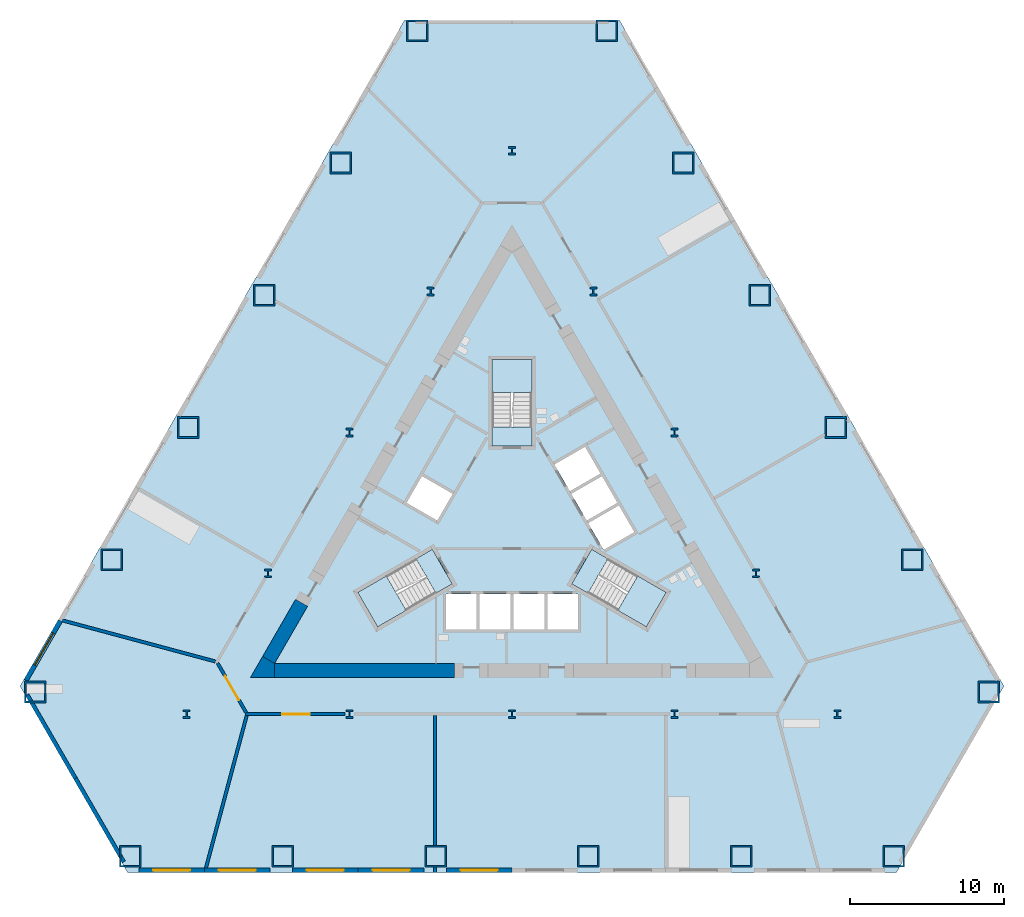
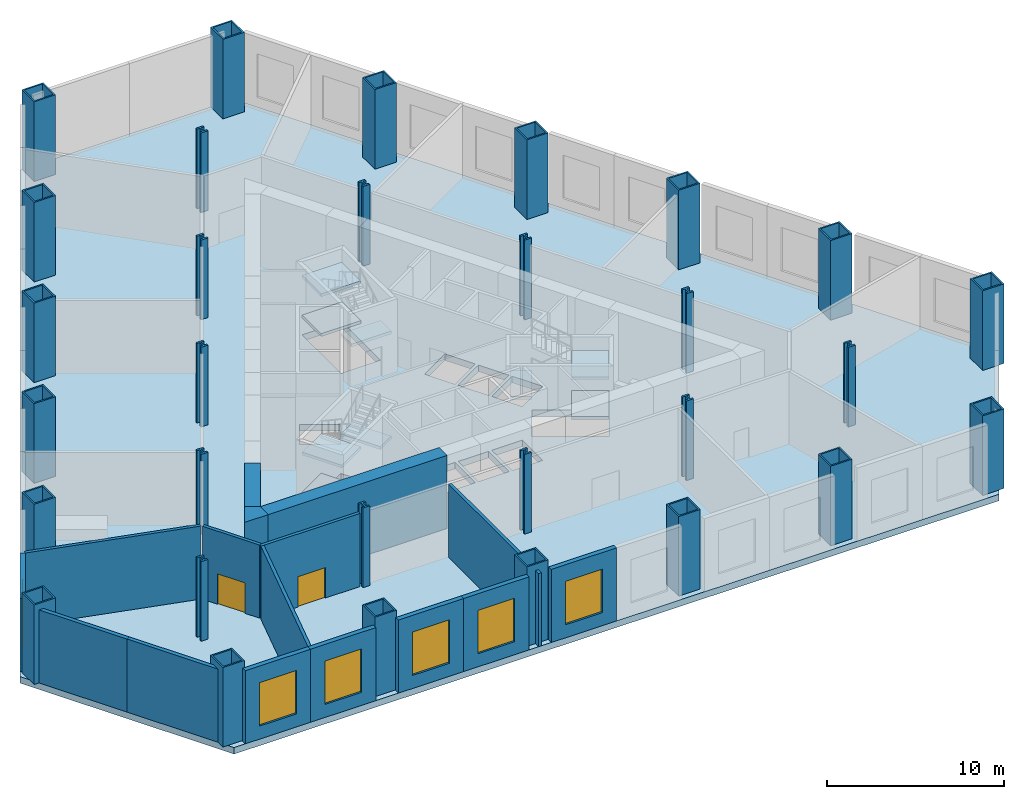
# One storey, part 1 of 9: 30 columns, 17 walls, 10 slabs, 6 windows, 2 doors, 8 openings, 3 elements without a shape of their own.
"""IFC4 building model written with IfcOpenShell, lengths in metres."""

from ifc_helpers import new_model, si_unit, direction, frame, frame_2d, origin, origin_2d, place, context, subcontext, project, spatial, polyline, rectangle, hollow_rectangle, i_section, outline, extrude, material, layer, layer_set, material_profile, profile_set, type_object, element, fill, aggregate, save


model = new_model("IFC4")

# Units and contexts
model_context = context("Model", 3, precision=1e-05, world=origin(), true_north=direction((0.0, 1.0)))
body_context = subcontext(model_context, "Body", "Model", "MODEL_VIEW")
ifc_project = project(units=[si_unit("LENGTHUNIT", "METRE"), si_unit("AREAUNIT", "SQUARE_METRE"), si_unit("VOLUMEUNIT", "CUBIC_METRE"), si_unit("PLANEANGLEUNIT", "RADIAN"), si_unit("MASSUNIT", "GRAM", prefix="KILO")], contexts=[model_context])

# Site, building, storey
site_placement = place(None, origin())
site = spatial("IfcSite", under=ifc_project, at=site_placement, CompositionType="ELEMENT")
building_placement = place(site_placement, origin())
building = spatial("IfcBuilding", under=site, at=building_placement, Name="Cormorant Prow Tower", CompositionType="ELEMENT")
storey_placement = place(building_placement, frame((0.0, 0.0, 15.5)))
storey = spatial("IfcBuildingStorey", under=building, at=storey_placement, Name="L02", CompositionType="ELEMENT", Elevation=15.5)

# Columns
ifc_material_1 = material(Name="Structural steel ASTM A572 Gr 50", Category="steel")
ifc_material_profile_1 = material_profile(ifc_material_1, hollow_rectangle(XDim=1.39990234375, YDim=1.39990234375, WallThickness=0.10009765625, at=origin_2d()), Name="Box 1400x1400x100")
ifc_profile_set_1 = profile_set([ifc_material_profile_1], Name="Structural steel ASTM A572 Gr 50")
column_type_1 = type_object("IfcColumnType", Name="Perimeter box column 1400x1400x100", PredefinedType="COLUMN", material=ifc_profile_set_1)
for number, where, z_axis, x_axis, name in (
    (1, (-24.830322265625, -21.4599609375, 0.0), (0.0, 0.0, 1.0), (1.0, 0.0, 0.0), "Perimeter column at S00 L02"),
    (2, (-14.898193359375, -21.4599609375, 0.0), (0.0, 0.0, 1.0), (1.0, 0.0, 0.0), "Perimeter column at S02 L02"),
    (3, (-4.966064453125, -21.4599609375, 0.0), (0.0, 0.0, 1.0), (1.0, 0.0, 0.0), "Perimeter column at S04 L02"),
    (4, (4.966064453125, -21.4599609375, 0.0), (0.0, 0.0, 1.0), (1.0, 0.0, 0.0), "Perimeter column at S06 L02"),
    (5, (14.898193359375, -21.4599609375, 0.0), (0.0, 0.0, 1.0), (1.0, 0.0, 0.0), "Perimeter column at S08 L02"),
    (6, (24.830322265625, -21.4599609375, 0.0), (0.0, 0.0, 1.0), (1.0, 0.0, 0.0), "Perimeter column at ESE00 L02"),
    (7, (31.0, -10.773681640625, 0.0), (0.0, 0.0, 1.0), (1.0, 0.0, 0.0), "Perimeter column at ENE00 L02"),
    (8, (26.033935546875, -2.17236328125, 0.0), (0.0, 0.0, 1.0), (1.0, 0.0, 0.0), "Perimeter column at ENE02 L02"),
    (9, (21.06787109375, 6.42919921875, 0.0), (0.0, 0.0, 1.0), (1.0, 0.0, 0.0), "Perimeter column at ENE04 L02"),
    (10, (16.101806640625, 15.03076171875, 0.0), (0.0, 0.0, 1.0), (1.0, 0.0, 0.0), "Perimeter column at ENE06 L02"),
    (11, (11.1357421875, 23.632080078125, 0.0), (0.0, 0.0, 1.0), (1.0, 0.0, 0.0), "Perimeter column at ENE08 L02"),
    (12, (6.169677734375, 32.233642578125, 0.0), (0.0, 0.0, 1.0), (1.0, 0.0, 0.0), "Perimeter column at N00 L02"),
    (13, (-6.169677734375, 32.233642578125, 0.0), (0.0, 0.0, 1.0), (1.0, 0.0, 0.0), "Perimeter column at WNW00 L02"),
    (14, (-11.1357421875, 23.632080078125, 0.0), (0.0, 0.0, 1.0), (1.0, 0.0, 0.0), "Perimeter column at WNW02 L02"),
    (15, (-16.101806640625, 15.03076171875, 0.0), (0.0, 0.0, 1.0), (1.0, 0.0, 0.0), "Perimeter column at WNW04 L02"),
    (16, (-21.06787109375, 6.42919921875, 0.0), (0.0, 0.0, 1.0), (1.0, 0.0, 0.0), "Perimeter column at WNW06 L02"),
    (17, (-26.033935546875, -2.17236328125, 0.0), (0.0, 0.0, 1.0), (1.0, 0.0, 0.0), "Perimeter column at WNW08 L02"),
    (18, (-31.0, -10.773681640625, 0.0), (0.0, 0.0, 1.0), (1.0, 0.0, 0.0), "Perimeter column at WSW00 L02"),
):
    element("IfcColumn", number, at=place(storey_placement, frame(where, z_axis=z_axis, x_axis=x_axis)), inside=storey, type_object=column_type_1, Name=name, PredefinedType="COLUMN", context=body_context, shape_type="SweptSolid", body=[
        extrude(hollow_rectangle(XDim=1.39990234375, YDim=1.39990234375, WallThickness=0.10009765625, at=origin_2d()), origin(), (0.0, 0.0, 1.0), 5.5),
    ])
ifc_material_2 = material(Name="Structural steel ASTM A992 Gr 50", Category="steel")
ifc_material_profile_2 = material_profile(ifc_material_2, i_section(OverallWidth=0.454345703125, OverallDepth=0.569580078125, WebThickness=0.077880859375, FlangeThickness=0.124755859375, at=origin_2d()), Name="W14x730")
ifc_profile_set_2 = profile_set([ifc_material_profile_2], Name="Structural steel ASTM A992 Gr 50")
column_type_2 = type_object("IfcColumnType", Name="Ring column W14x730", PredefinedType="COLUMN", material=ifc_profile_set_2)
for number, where, z_axis, x_axis, name in (
    (19, (0.0, 24.429931640625, 0.0), (0.0, 0.0, 1.0), (1.0, 0.0, 0.0), "Ring column 1 L02"),
    (20, (-5.289306640625, 15.268798828125, 0.0), (0.0, 0.0, 1.0), (1.0, 0.0, 0.0), "Ring column 2 L02"),
    (21, (-10.578369140625, 6.107421875, 0.0), (0.0, 0.0, 1.0), (1.0, 0.0, 0.0), "Ring column 3 L02"),
    (22, (-15.86767578125, -3.0537109375, 0.0), (0.0, 0.0, 1.0), (1.0, 0.0, 0.0), "Ring column 4 L02"),
    (23, (-21.156982421875, -12.21484375, 0.0), (0.0, 0.0, 1.0), (1.0, 0.0, 0.0), "Ring column 5 L02"),
    (24, (-10.578369140625, -12.21484375, 0.0), (0.0, 0.0, 1.0), (1.0, 0.0, 0.0), "Ring column 6 L02"),
    (25, (0.0, -12.21484375, 0.0), (0.0, 0.0, 1.0), (1.0, 0.0, 0.0), "Ring column 7 L02"),
    (26, (10.578369140625, -12.21484375, 0.0), (0.0, 0.0, 1.0), (1.0, 0.0, 0.0), "Ring column 8 L02"),
    (27, (21.156982421875, -12.21484375, 0.0), (0.0, 0.0, 1.0), (1.0, 0.0, 0.0), "Ring column 9 L02"),
    (28, (15.86767578125, -3.0537109375, 0.0), (0.0, 0.0, 1.0), (1.0, 0.0, 0.0), "Ring column 10 L02"),
    (29, (10.578369140625, 6.107421875, 0.0), (0.0, 0.0, 1.0), (1.0, 0.0, 0.0), "Ring column 11 L02"),
    (30, (5.289306640625, 15.268798828125, 0.0), (0.0, 0.0, 1.0), (1.0, 0.0, 0.0), "Ring column 12 L02"),
):
    element("IfcColumn", number, at=place(storey_placement, frame(where, z_axis=z_axis, x_axis=x_axis)), inside=storey, type_object=column_type_2, Name=name, PredefinedType="COLUMN", context=body_context, shape_type="SweptSolid", body=[
        extrude(i_section(OverallWidth=0.454345703125, OverallDepth=0.569580078125, WebThickness=0.077880859375, FlangeThickness=0.124755859375, at=origin_2d()), origin(), (0.0, 0.0, 1.0), 5.5),
    ])

# Slab
ifc_material_3 = material(Name="Concrete C40/50", Category="concrete")
ifc_layer_1 = layer(ifc_material_3, 0.449951171875)
ifc_layer_set_1 = layer_set([ifc_layer_1], Name="Concrete C40/50")
slab_type_1 = type_object("IfcSlabType", Name="Post-tensioned flat slab 450", PredefinedType="FLOOR", material=ifc_layer_set_1)
slab_1_placement = place(storey_placement, frame((0.0, 0.0, -0.449951171875)))
element("IfcSlab", 31, at=slab_1_placement, inside=storey, type_object=slab_type_1, Name="Floor slab L02", PredefinedType="FLOOR", context=body_context, shape_type="SweptSolid", body=[
    extrude(outline(polyline([(-9.5, 28.578857421875), (-12.0, 24.248779296875), (-14.5, 19.918701171875), (-17.0, 15.58837890625), (-19.5, 11.25830078125), (-22.0, 6.92822265625), (-24.5, 2.59814453125), (-27.0, -1.73193359375), (-29.5, -6.062255859375), (-32.0, -10.392333984375), (-28.5, -16.45458984375), (-25.0, -22.5166015625), (-20.0, -22.5166015625), (-15.0, -22.5166015625), (-10.0, -22.5166015625), (-5.0, -22.5166015625), (0.0, -22.5166015625), (5.0, -22.5166015625), (10.0, -22.5166015625), (15.0, -22.5166015625), (20.0, -22.5166015625), (25.0, -22.5166015625), (28.5, -16.45458984375), (32.0, -10.392333984375), (29.5, -6.062255859375), (27.0, -1.73193359375), (24.5, 2.59814453125), (22.0, 6.92822265625), (19.5, 11.25830078125), (17.0, 15.58837890625), (14.5, 19.918701171875), (12.0, 24.248779296875), (9.5, 28.578857421875), (7.0, 32.908935546875), (0.0, 32.908935546875), (-7.0, 32.908935546875), (-9.5, 28.578857421875)]), holes=[polyline([(-4.300048828125, -6.699951171875), (-4.300048828125, -4.39990234375), (-2.300048828125, -4.39990234375), (-2.300048828125, -6.699951171875), (-4.300048828125, -6.699951171875)]), polyline([(-2.10009765625, -4.39990234375), (-0.10009765625, -4.39990234375), (-0.10009765625, -6.699951171875), (-2.10009765625, -6.699951171875), (-2.10009765625, -4.39990234375)]), polyline([(2.10009765625, -4.39990234375), (2.10009765625, -6.699951171875), (0.10009765625, -6.699951171875), (0.10009765625, -4.39990234375), (2.10009765625, -4.39990234375)]), polyline([(4.300048828125, -6.699951171875), (2.300048828125, -6.699951171875), (2.300048828125, -4.39990234375), (4.300048828125, -4.39990234375), (4.300048828125, -6.699951171875)]), polyline([(7.952392578125, -0.373779296875), (5.96044921875, -1.52392578125), (4.96044921875, 0.2080078125), (6.952392578125, 1.358154296875), (7.952392578125, -0.373779296875)]), polyline([(4.860595703125, 0.38134765625), (3.860595703125, 2.11328125), (5.852294921875, 3.263427734375), (6.852294921875, 1.53125), (4.860595703125, 0.38134765625)]), polyline([(2.760498046875, 4.018798828125), (4.75244140625, 5.168701171875), (5.75244140625, 3.4365234375), (3.760498046875, 2.28662109375), (2.760498046875, 4.018798828125)]), polyline([(-6.852294921875, 1.53125), (-5.852294921875, 3.263427734375), (-3.860595703125, 2.11328125), (-4.860595703125, 0.38134765625), (-6.852294921875, 1.53125)]), polyline([(-4.947509765625, -4.3505859375), (-8.738037109375, -6.5390625), (-10.031982421875, -4.2978515625), (-6.241455078125, -2.109375), (-4.947509765625, -4.3505859375)]), polyline([(10.031982421875, -4.2978515625), (8.738037109375, -6.5390625), (4.947509765625, -4.3505859375), (6.241455078125, -2.109375), (10.031982421875, -4.2978515625)]), polyline([(1.2939453125, 10.8369140625), (1.2939453125, 6.459716796875), (-1.2939453125, 6.459716796875), (-1.2939453125, 10.8369140625), (1.2939453125, 10.8369140625)])]), origin(), (0.0, 0.0, 1.0), 0.449951171875),
])

# Stair, slabs
ifc_material_4 = material(Name="Exit stair 36 risers")
stair_type = type_object("IfcStairType", Name="Exit stair 36 risers", PredefinedType="HALF_TURN_STAIR", material=ifc_material_4)
stair_1_placement = place(storey_placement, origin())
stair_1 = element("IfcStair", 32, at=stair_1_placement, inside=storey, type_object=stair_type, Name="L02 Exit stair ST1", PredefinedType="HALF_TURN_STAIR")
ifc_material_5 = material(Name="Concrete 5000 psi", Category="concrete")
ifc_layer_2 = layer(ifc_material_5, 0.199951171875)
ifc_layer_set_2 = layer_set([ifc_layer_2], Name="Concrete 5000 psi")
slab_type_2 = type_object("IfcSlabType", Name="Stair landing 200", PredefinedType="LANDING", material=ifc_layer_set_2)
slab_2_placement = place(storey_placement, frame((0.0, 0.0, 1.175048828125)))
slab_2 = element("IfcSlab", 33, at=slab_2_placement, type_object=slab_type_2, Name="ST1 landing 1", PredefinedType="LANDING", context=body_context, shape_type="SweptSolid", body=[
    extrude(outline(polyline([(-8.17431640625, -3.225341796875), (-10.031982421875, -4.2978515625), (-8.738037109375, -6.5390625), (-6.88037109375, -5.466552734375), (-8.17431640625, -3.225341796875)])), origin(), (0.0, 0.0, 1.0), 0.199951171875),
])
slab_3_placement = place(storey_placement, frame((0.0, 0.0, 2.550048828125)))
slab_3 = element("IfcSlab", 34, at=slab_3_placement, type_object=slab_type_2, Name="ST1 landing 2", PredefinedType="LANDING", context=body_context, shape_type="SweptSolid", body=[
    extrude(outline(polyline([(-5.18212890625, -1.497802734375), (-6.241455078125, -2.109375), (-4.947265625, -4.3505859375), (-3.88818359375, -3.739013671875), (-5.18212890625, -1.497802734375)])), origin(), (0.0, 0.0, 1.0), 0.199951171875),
])
slab_4_placement = place(storey_placement, frame((0.0, 0.0, 3.925048828125)))
slab_4 = element("IfcSlab", 35, at=slab_4_placement, type_object=slab_type_2, Name="ST1 landing 3", PredefinedType="LANDING", context=body_context, shape_type="SweptSolid", body=[
    extrude(outline(polyline([(-8.17431640625, -3.225341796875), (-10.031982421875, -4.2978515625), (-8.738037109375, -6.5390625), (-6.88037109375, -5.466552734375), (-8.17431640625, -3.225341796875)])), origin(), (0.0, 0.0, 1.0), 0.199951171875),
])
aggregate(stair_1, [slab_2, slab_3, slab_4])

stair_2_placement = place(storey_placement, origin())
stair_2 = element("IfcStair", 36, at=stair_2_placement, inside=storey, type_object=stair_type, Name="L02 Exit stair ST2", PredefinedType="HALF_TURN_STAIR")
slab_5_placement = place(storey_placement, frame((0.0, 0.0, 1.175048828125)))
slab_5 = element("IfcSlab", 37, at=slab_5_placement, type_object=slab_type_2, Name="ST2 landing 1", PredefinedType="LANDING", context=body_context, shape_type="SweptSolid", body=[
    extrude(outline(polyline([(6.88037109375, -5.466552734375), (8.738037109375, -6.5390625), (10.031982421875, -4.2978515625), (8.17431640625, -3.225341796875), (6.88037109375, -5.466552734375)])), origin(), (0.0, 0.0, 1.0), 0.199951171875),
])
slab_6_placement = place(storey_placement, frame((0.0, 0.0, 2.550048828125)))
slab_6 = element("IfcSlab", 38, at=slab_6_placement, type_object=slab_type_2, Name="ST2 landing 2", PredefinedType="LANDING", context=body_context, shape_type="SweptSolid", body=[
    extrude(outline(polyline([(3.88818359375, -3.739013671875), (4.947265625, -4.3505859375), (6.241455078125, -2.109375), (5.18212890625, -1.497802734375), (3.88818359375, -3.739013671875)])), origin(), (0.0, 0.0, 1.0), 0.199951171875),
])
slab_7_placement = place(storey_placement, frame((0.0, 0.0, 3.925048828125)))
slab_7 = element("IfcSlab", 39, at=slab_7_placement, type_object=slab_type_2, Name="ST2 landing 3", PredefinedType="LANDING", context=body_context, shape_type="SweptSolid", body=[
    extrude(outline(polyline([(6.88037109375, -5.466552734375), (8.738037109375, -6.5390625), (10.031982421875, -4.2978515625), (8.17431640625, -3.225341796875), (6.88037109375, -5.466552734375)])), origin(), (0.0, 0.0, 1.0), 0.199951171875),
])
aggregate(stair_2, [slab_5, slab_6, slab_7])

stair_3_placement = place(storey_placement, origin())
stair_3 = element("IfcStair", 40, at=stair_3_placement, inside=storey, type_object=stair_type, Name="L02 Exit stair ST3", PredefinedType="HALF_TURN_STAIR")
slab_8_placement = place(storey_placement, frame((0.0, 0.0, 1.175048828125)))
slab_8 = element("IfcSlab", 41, at=slab_8_placement, type_object=slab_type_2, Name="ST3 landing 1", PredefinedType="LANDING", context=body_context, shape_type="SweptSolid", body=[
    extrude(outline(polyline([(1.2939453125, 8.69189453125), (1.2939453125, 10.8369140625), (-1.2939453125, 10.8369140625), (-1.2939453125, 8.69189453125), (1.2939453125, 8.69189453125)])), origin(), (0.0, 0.0, 1.0), 0.199951171875),
])
slab_9_placement = place(storey_placement, frame((0.0, 0.0, 2.550048828125)))
slab_9 = element("IfcSlab", 42, at=slab_9_placement, type_object=slab_type_2, Name="ST3 landing 2", PredefinedType="LANDING", context=body_context, shape_type="SweptSolid", body=[
    extrude(outline(polyline([(1.2939453125, 5.23681640625), (1.2939453125, 6.459716796875), (-1.2939453125, 6.459716796875), (-1.2939453125, 5.23681640625), (1.2939453125, 5.23681640625)])), origin(), (0.0, 0.0, 1.0), 0.199951171875),
])
slab_10_placement = place(storey_placement, frame((0.0, 0.0, 3.925048828125)))
slab_10 = element("IfcSlab", 43, at=slab_10_placement, type_object=slab_type_2, Name="ST3 landing 3", PredefinedType="LANDING", context=body_context, shape_type="SweptSolid", body=[
    extrude(outline(polyline([(1.2939453125, 8.69189453125), (1.2939453125, 10.8369140625), (-1.2939453125, 10.8369140625), (-1.2939453125, 8.69189453125), (1.2939453125, 8.69189453125)])), origin(), (0.0, 0.0, 1.0), 0.199951171875),
])
aggregate(stair_3, [slab_8, slab_9, slab_10])

# Walls
ifc_material_6 = material(Name="Concrete 8000 psi", Category="concrete")
ifc_layer_3 = layer(ifc_material_6, 0.89990234375)
ifc_layer_set_3 = layer_set([ifc_layer_3], Name="Concrete 8000 psi")
wall_type_1 = type_object("IfcWallType", Name="Core shear wall 900", PredefinedType="SHEAR", material=ifc_layer_set_3)
wall_1_placement = place(storey_placement, frame((-15.441162109375, -9.364990234375, 0.0), z_axis=(0.0, 0.0, 1.0), x_axis=(1.0, 0.0, 0.0)))
element("IfcWall", 44, at=wall_1_placement, inside=storey, type_object=wall_type_1, Name="Core wall", PredefinedType="SHEAR", context=body_context, shape_type="SweptSolid", body=[
    extrude(rectangle(XDim=11.691650390625, YDim=0.89990234375, at=frame_2d((5.845703125, 0.0))), origin(), (0.0, 0.0, 1.0), 5.050048828125),
])
wall_2_placement = place(storey_placement, frame((-13.68310546875, -4.969970703125, 0.0), z_axis=(0.0, 0.0, 1.0), x_axis=(-0.499996331799, -0.866027521611, 0.0)))
element("IfcWall", 45, at=wall_2_placement, inside=storey, type_object=wall_type_1, Name="Core wall", PredefinedType="SHEAR", context=body_context, shape_type="SweptSolid", body=[
    extrude(rectangle(XDim=4.29541015625, YDim=0.89990234375, at=frame_2d((2.147705078125, 0.0))), origin(), (0.0, 0.0, 1.0), 5.050048828125),
])
wall_3_placement = place(storey_placement, origin())
element("IfcWall", 46, at=wall_3_placement, inside=storey, type_object=wall_type_1, Name="Core wall corner", PredefinedType="SHEAR", context=body_context, shape_type="SweptSolid", body=[
    extrude(outline(polyline([(-16.220703125, -8.465087890625), (-15.441162109375, -8.9150390625), (-15.441162109375, -9.81494140625), (-17.0, -9.81494140625), (-16.220703125, -8.465087890625)])), origin(), (0.0, 0.0, 1.0), 5.050048828125),
])

# Wall, opening, door
ifc_material_7 = material(Name="Gypsum board corridor wall")
ifc_layer_4 = layer(ifc_material_7, 0.199951171875)
ifc_layer_set_4 = layer_set([ifc_layer_4], Name="Gypsum board corridor wall")
wall_type_2 = type_object("IfcWallType", Name="Corridor wall 200", PredefinedType="PARTITIONING", material=ifc_layer_set_4)
wall_4_placement = place(storey_placement, frame((-17.330810546875, -12.215087890625, 0.0), z_axis=(0.0, 0.0, 1.0), x_axis=(1.0, 0.0, 0.0)))
wall_4 = element("IfcWall", 47, at=wall_4_placement, inside=storey, type_object=wall_type_2, Name="Corridor wall", PredefinedType="PARTITIONING", context=body_context, shape_type="SweptSolid", body=[
    extrude(rectangle(XDim=6.45751953125, YDim=0.199951171875, at=frame_2d((3.228759765625, 0.0))), origin(), (0.0, 0.0, 1.0), 5.050048828125),
])
opening_1_placement = place(wall_4_placement, frame((2.379638671875, 0.0, 0.0)))
opening_1 = element("IfcOpeningElement", 48, at=opening_1_placement, cuts=wall_4, Name="Opening L02-F03", PredefinedType="OPENING", context=body_context, shape_type="SweptSolid", body=[
    extrude(rectangle(XDim=1.800048828125, YDim=2.10009765625, at=frame_2d((0.89990234375, 1.050048828125))), frame((0.0, 0.10986328125, 0.0), z_axis=(0.0, -1.0, 0.0), x_axis=(1.0, 0.0, 0.0)), (0.0, 0.0, 1.0), 0.219970703125),
])
ifc_material_8 = material(Name="Timber door leaf", Category="wood")
door_type = type_object("IfcDoorType", Name="Double door 1800x2100", OperationType="DOUBLE_DOOR_SINGLE_SWING", PredefinedType="DOOR", material=ifc_material_8)
door_1_placement = place(opening_1_placement, origin())
door_1 = element("IfcDoor", 49, at=door_1_placement, inside=storey, type_object=door_type, Name="Serviced office door", OperationType="DOUBLE_DOOR_SINGLE_SWING", OverallHeight=2.10009765625, OverallWidth=1.800048828125, PredefinedType="DOOR", context=body_context, shape_type="SweptSolid", body=[
    extrude(rectangle(XDim=1.800048828125, YDim=2.10009765625, at=frame_2d((0.89990234375, 1.050048828125))), frame((0.0, 0.02490234375, 0.0), z_axis=(0.0, -1.0, 0.0), x_axis=(1.0, 0.0, 0.0)), (0.0, 0.0, 1.0), 0.050048828125),
])
fill(opening_1, door_1)

wall_5_placement = place(storey_placement, frame((-19.143798828125, -8.901611328125, 0.0), z_axis=(0.0, 0.0, 1.0), x_axis=(0.499958791762, -0.866049194065, 0.0)))
wall_5 = element("IfcWall", 50, at=wall_5_placement, inside=storey, type_object=wall_type_2, Name="Corridor wall", PredefinedType="PARTITIONING", context=body_context, shape_type="SweptSolid", body=[
    extrude(rectangle(XDim=3.725830078125, YDim=0.199951171875, at=frame_2d((1.86279296875, 0.0))), origin(), (0.0, 0.0, 1.0), 5.050048828125),
])
opening_2_placement = place(wall_5_placement, frame((0.962890625, 0.0, 0.0)))
opening_2 = element("IfcOpeningElement", 51, at=opening_2_placement, cuts=wall_5, Name="Opening L02-F11", PredefinedType="OPENING", context=body_context, shape_type="SweptSolid", body=[
    extrude(rectangle(XDim=1.800048828125, YDim=2.10009765625, at=frame_2d((0.89990234375, 1.050048828125))), frame((0.0, 0.10986328125, 0.0), z_axis=(0.0, -1.0, 0.0), x_axis=(1.0, 0.0, 0.0)), (0.0, 0.0, 1.0), 0.219970703125),
])
door_2_placement = place(opening_2_placement, origin())
door_2 = element("IfcDoor", 52, at=door_2_placement, inside=storey, type_object=door_type, Name="Catering kitchen door", OperationType="DOUBLE_DOOR_SINGLE_SWING", OverallHeight=2.10009765625, OverallWidth=1.800048828125, PredefinedType="DOOR", context=body_context, shape_type="SweptSolid", body=[
    extrude(rectangle(XDim=1.800048828125, YDim=2.10009765625, at=frame_2d((0.89990234375, 1.050048828125))), frame((0.0, 0.02490234375, 0.0), z_axis=(0.0, -1.0, 0.0), x_axis=(1.0, 0.0, 0.0)), (0.0, 0.0, 1.0), 0.050048828125),
])
fill(opening_2, door_2)

# Walls
ifc_material_9 = material(Name="Gypsum board demising wall")
ifc_layer_5 = layer(ifc_material_9, 0.199951171875)
ifc_layer_set_5 = layer_set([ifc_layer_5], Name="Gypsum board demising wall")
wall_type_3 = type_object("IfcWallType", Name="Demising wall 200", PredefinedType="PARTITIONING", material=ifc_layer_set_5)
for number, where, z_axis, x_axis, name in (
    (53, (-29.251953125, -6.115478515625, 0.0), (0.0, 0.0, 1.0), (0.965818413341, -0.259219583464, 0.0), "Demising wall"),
    (54, (-19.921875, -22.275146484375, 0.0), (0.0, 0.0, 1.0), (0.258415425443, 0.966033885479, 0.0), "Demising wall"),
):
    element("IfcWall", number, at=place(storey_placement, frame(where, z_axis=z_axis, x_axis=x_axis)), inside=storey, type_object=wall_type_3, Name=name, PredefinedType="PARTITIONING", context=body_context, shape_type="SweptSolid", body=[
        extrude(rectangle(XDim=10.31396484375, YDim=0.199951171875, at=frame_2d((5.156982421875, 0.0))), origin(), (0.0, 0.0, 1.0), 5.050048828125),
    ])
wall_6_placement = place(storey_placement, frame((-5.0, -20.75, 0.0), z_axis=(0.0, 0.0, 1.0), x_axis=(0.0, 1.0, 0.0)))
element("IfcWall", 55, at=wall_6_placement, inside=storey, type_object=wall_type_3, Name="Demising wall", PredefinedType="PARTITIONING", context=body_context, shape_type="SweptSolid", body=[
    extrude(rectangle(XDim=8.43505859375, YDim=0.199951171875, at=frame_2d((4.217529296875, 0.0))), origin(), (0.0, 0.0, 1.0), 5.050048828125),
])
wall_7_placement = place(storey_placement, frame((-5.0, -22.5166015625, 0.0), z_axis=(0.0, 0.0, 1.0), x_axis=(0.0, 1.0, 0.0)))
element("IfcWall", 56, at=wall_7_placement, inside=storey, type_object=wall_type_3, Name="Demising wall", PredefinedType="PARTITIONING", context=body_context, shape_type="SweptSolid", body=[
    extrude(rectangle(XDim=0.3466796875, YDim=0.199951171875, at=frame_2d((0.17333984375, 0.0))), origin(), (0.0, 0.0, 1.0), 5.050048828125),
])
ifc_material_10 = material(Name="Terracotta", Category="masonry")
ifc_layer_6 = layer(ifc_material_10, 0.25)
ifc_layer_set_6 = layer_set([ifc_layer_6], Name="Terracotta")
wall_type_4 = type_object("IfcWallType", Name="Terracotta bay wall 250", PredefinedType="SOLIDWALL", material=ifc_layer_set_6)
wall_8_placement = place(storey_placement, frame((-31.52685546875, -10.9619140625, 0.0), z_axis=(0.0, 0.0, 1.0), x_axis=(0.499987597971, -0.866032563981, 0.0)))
element("IfcWall", 57, at=wall_8_placement, inside=storey, type_object=wall_type_4, Name="Terracotta bay wall WSW00", PredefinedType="SOLIDWALL", context=body_context, shape_type="SweptSolid", body=[
    extrude(rectangle(XDim=6.270263671875, YDim=0.25, at=frame_2d((3.13525390625, 0.0))), origin(), (0.0, 0.0, 1.0), 5.050048828125),
])
wall_9_placement = place(storey_placement, frame((-28.391845703125, -16.39208984375, 0.0), z_axis=(0.0, 0.0, 1.0), x_axis=(0.5000044583, -0.866022829768, 0.0)))
element("IfcWall", 58, at=wall_9_placement, inside=storey, type_object=wall_type_4, Name="Terracotta bay wall WSW01", PredefinedType="SOLIDWALL", context=body_context, shape_type="SweptSolid", body=[
    extrude(rectangle(XDim=6.27001953125, YDim=0.25, at=frame_2d((3.135009765625, 0.0))), origin(), (0.0, 0.0, 1.0), 5.050048828125),
])

# Wall, opening, window
ifc_material_11 = material(Name="Terracotta", Category="masonry")
ifc_layer_7 = layer(ifc_material_11, 0.300048828125)
ifc_layer_set_7 = layer_set([ifc_layer_7], Name="Terracotta")
wall_type_5 = type_object("IfcWallType", Name="Terracotta podium cladding wall 300", PredefinedType="SOLIDWALL", material=ifc_layer_set_7)
wall_10_placement = place(storey_placement, frame((-24.27001953125, -22.36669921875, 0.0), z_axis=(0.0, 0.0, 1.0), x_axis=(1.0, 0.0, 0.0)))
wall_10 = element("IfcWall", 59, at=wall_10_placement, inside=storey, type_object=wall_type_5, Name="Terracotta podium wall S00", PredefinedType="SOLIDWALL", context=body_context, shape_type="SweptSolid", body=[
    extrude(rectangle(XDim=4.27001953125, YDim=0.300048828125, at=frame_2d((2.135009765625, 0.0))), origin(), (0.0, 0.0, 1.0), 5.050048828125),
])
opening_3_placement = place(wall_10_placement, frame((0.93505859375, 0.0, 0.89990234375)))
opening_3 = element("IfcOpeningElement", 60, at=opening_3_placement, cuts=wall_10, Name="Opening WN21", PredefinedType="OPENING", context=body_context, shape_type="SweptSolid", body=[
    extrude(rectangle(XDim=2.39990234375, YDim=3.0, at=frame_2d((1.199951171875, 1.5))), frame((0.0, 0.159912109375, 0.0), z_axis=(0.0, -1.0, 0.0), x_axis=(1.0, 0.0, 0.0)), (0.0, 0.0, 1.0), 0.320068359375),
])
ifc_material_12 = material(Name="Aluminium 6063-T6", Category="aluminium")
window_type = type_object("IfcWindowType", Name="Podium window 2400x3000", PartitioningType="SINGLE_PANEL", PredefinedType="WINDOW", material=ifc_material_12)
window_1_placement = place(opening_3_placement, origin())
window_1 = element("IfcWindow", 61, at=window_1_placement, inside=storey, type_object=window_type, Name="Podium window S00", OverallHeight=3.0, OverallWidth=2.39990234375, PartitioningType="SINGLE_PANEL", PredefinedType="WINDOW", context=body_context, shape_type="SweptSolid", body=[
    extrude(rectangle(XDim=2.39990234375, YDim=3.0, at=frame_2d((1.199951171875, 1.5))), frame((0.0, 0.030029296875, 0.0), z_axis=(0.0, -1.0, 0.0), x_axis=(1.0, 0.0, 0.0)), (0.0, 0.0, 1.0), 0.06005859375),
])
fill(opening_3, window_1)

wall_11_placement = place(storey_placement, frame((-20.0, -22.36669921875, 0.0), z_axis=(0.0, 0.0, 1.0), x_axis=(1.0, 0.0, 0.0)))
wall_11 = element("IfcWall", 62, at=wall_11_placement, inside=storey, type_object=wall_type_5, Name="Terracotta podium wall S01", PredefinedType="SOLIDWALL", context=body_context, shape_type="SweptSolid", body=[
    extrude(rectangle(XDim=4.27001953125, YDim=0.300048828125, at=frame_2d((2.135009765625, 0.0))), origin(), (0.0, 0.0, 1.0), 5.050048828125),
])
opening_4_placement = place(wall_11_placement, frame((0.93505859375, 0.0, 0.89990234375)))
opening_4 = element("IfcOpeningElement", 63, at=opening_4_placement, cuts=wall_11, Name="Opening WN21", PredefinedType="OPENING", context=body_context, shape_type="SweptSolid", body=[
    extrude(rectangle(XDim=2.39990234375, YDim=3.0, at=frame_2d((1.199951171875, 1.5))), frame((0.0, 0.159912109375, 0.0), z_axis=(0.0, -1.0, 0.0), x_axis=(1.0, 0.0, 0.0)), (0.0, 0.0, 1.0), 0.320068359375),
])
window_2_placement = place(opening_4_placement, origin())
window_2 = element("IfcWindow", 64, at=window_2_placement, inside=storey, type_object=window_type, Name="Podium window S01", OverallHeight=3.0, OverallWidth=2.39990234375, PartitioningType="SINGLE_PANEL", PredefinedType="WINDOW", context=body_context, shape_type="SweptSolid", body=[
    extrude(rectangle(XDim=2.39990234375, YDim=3.0, at=frame_2d((1.199951171875, 1.5))), frame((0.0, 0.030029296875, 0.0), z_axis=(0.0, -1.0, 0.0), x_axis=(1.0, 0.0, 0.0)), (0.0, 0.0, 1.0), 0.06005859375),
])
fill(opening_4, window_2)

wall_12_placement = place(storey_placement, frame((-14.27001953125, -22.36669921875, 0.0), z_axis=(0.0, 0.0, 1.0), x_axis=(1.0, 0.0, 0.0)))
wall_12 = element("IfcWall", 65, at=wall_12_placement, inside=storey, type_object=wall_type_5, Name="Terracotta podium wall S02", PredefinedType="SOLIDWALL", context=body_context, shape_type="SweptSolid", body=[
    extrude(rectangle(XDim=4.27001953125, YDim=0.300048828125, at=frame_2d((2.135009765625, 0.0))), origin(), (0.0, 0.0, 1.0), 5.050048828125),
])
opening_5_placement = place(wall_12_placement, frame((0.93505859375, 0.0, 0.89990234375)))
opening_5 = element("IfcOpeningElement", 66, at=opening_5_placement, cuts=wall_12, Name="Opening WN21", PredefinedType="OPENING", context=body_context, shape_type="SweptSolid", body=[
    extrude(rectangle(XDim=2.39990234375, YDim=3.0, at=frame_2d((1.199951171875, 1.5))), frame((0.0, 0.159912109375, 0.0), z_axis=(0.0, -1.0, 0.0), x_axis=(1.0, 0.0, 0.0)), (0.0, 0.0, 1.0), 0.320068359375),
])
window_3_placement = place(opening_5_placement, origin())
window_3 = element("IfcWindow", 67, at=window_3_placement, inside=storey, type_object=window_type, Name="Podium window S02", OverallHeight=3.0, OverallWidth=2.39990234375, PartitioningType="SINGLE_PANEL", PredefinedType="WINDOW", context=body_context, shape_type="SweptSolid", body=[
    extrude(rectangle(XDim=2.39990234375, YDim=3.0, at=frame_2d((1.199951171875, 1.5))), frame((0.0, 0.030029296875, 0.0), z_axis=(0.0, -1.0, 0.0), x_axis=(1.0, 0.0, 0.0)), (0.0, 0.0, 1.0), 0.06005859375),
])
fill(opening_5, window_3)

wall_13_placement = place(storey_placement, frame((-10.0, -22.36669921875, 0.0), z_axis=(0.0, 0.0, 1.0), x_axis=(1.0, 0.0, 0.0)))
wall_13 = element("IfcWall", 68, at=wall_13_placement, inside=storey, type_object=wall_type_5, Name="Terracotta podium wall S03", PredefinedType="SOLIDWALL", context=body_context, shape_type="SweptSolid", body=[
    extrude(rectangle(XDim=4.27001953125, YDim=0.300048828125, at=frame_2d((2.135009765625, 0.0))), origin(), (0.0, 0.0, 1.0), 5.050048828125),
])
opening_6_placement = place(wall_13_placement, frame((0.93505859375, 0.0, 0.89990234375)))
opening_6 = element("IfcOpeningElement", 69, at=opening_6_placement, cuts=wall_13, Name="Opening WN21", PredefinedType="OPENING", context=body_context, shape_type="SweptSolid", body=[
    extrude(rectangle(XDim=2.39990234375, YDim=3.0, at=frame_2d((1.199951171875, 1.5))), frame((0.0, 0.159912109375, 0.0), z_axis=(0.0, -1.0, 0.0), x_axis=(1.0, 0.0, 0.0)), (0.0, 0.0, 1.0), 0.320068359375),
])
window_4_placement = place(opening_6_placement, origin())
window_4 = element("IfcWindow", 70, at=window_4_placement, inside=storey, type_object=window_type, Name="Podium window S03", OverallHeight=3.0, OverallWidth=2.39990234375, PartitioningType="SINGLE_PANEL", PredefinedType="WINDOW", context=body_context, shape_type="SweptSolid", body=[
    extrude(rectangle(XDim=2.39990234375, YDim=3.0, at=frame_2d((1.199951171875, 1.5))), frame((0.0, 0.030029296875, 0.0), z_axis=(0.0, -1.0, 0.0), x_axis=(1.0, 0.0, 0.0)), (0.0, 0.0, 1.0), 0.06005859375),
])
fill(opening_6, window_4)

wall_14_placement = place(storey_placement, frame((-4.27001953125, -22.36669921875, 0.0), z_axis=(0.0, 0.0, 1.0), x_axis=(1.0, 0.0, 0.0)))
wall_14 = element("IfcWall", 71, at=wall_14_placement, inside=storey, type_object=wall_type_5, Name="Terracotta podium wall S04", PredefinedType="SOLIDWALL", context=body_context, shape_type="SweptSolid", body=[
    extrude(rectangle(XDim=4.27001953125, YDim=0.300048828125, at=frame_2d((2.135009765625, 0.0))), origin(), (0.0, 0.0, 1.0), 5.050048828125),
])
opening_7_placement = place(wall_14_placement, frame((0.93505859375, 0.0, 0.89990234375)))
opening_7 = element("IfcOpeningElement", 72, at=opening_7_placement, cuts=wall_14, Name="Opening WN21", PredefinedType="OPENING", context=body_context, shape_type="SweptSolid", body=[
    extrude(rectangle(XDim=2.39990234375, YDim=3.0, at=frame_2d((1.199951171875, 1.5))), frame((0.0, 0.159912109375, 0.0), z_axis=(0.0, -1.0, 0.0), x_axis=(1.0, 0.0, 0.0)), (0.0, 0.0, 1.0), 0.320068359375),
])
window_5_placement = place(opening_7_placement, origin())
window_5 = element("IfcWindow", 73, at=window_5_placement, inside=storey, type_object=window_type, Name="Podium window S04", OverallHeight=3.0, OverallWidth=2.39990234375, PartitioningType="SINGLE_PANEL", PredefinedType="WINDOW", context=body_context, shape_type="SweptSolid", body=[
    extrude(rectangle(XDim=2.39990234375, YDim=3.0, at=frame_2d((1.199951171875, 1.5))), frame((0.0, 0.030029296875, 0.0), z_axis=(0.0, -1.0, 0.0), x_axis=(1.0, 0.0, 0.0)), (0.0, 0.0, 1.0), 0.06005859375),
])
fill(opening_7, window_5)

wall_15_placement = place(storey_placement, frame((-29.3701171875, -6.13720703125, 0.0), z_axis=(0.0, 0.0, 1.0), x_axis=(-0.49999314502, -0.866029361473, 0.0)))
wall_15 = element("IfcWall", 74, at=wall_15_placement, inside=storey, type_object=wall_type_5, Name="Terracotta podium wall WNW09", PredefinedType="SOLIDWALL", context=body_context, shape_type="SweptSolid", body=[
    extrude(rectangle(XDim=4.47607421875, YDim=0.300048828125, at=frame_2d((2.238037109375, 0.0))), origin(), (0.0, 0.0, 1.0), 5.050048828125),
])
opening_8_placement = place(wall_15_placement, frame((0.93505859375, 0.0, 0.89990234375)))
opening_8 = element("IfcOpeningElement", 75, at=opening_8_placement, cuts=wall_15, Name="Opening WN21", PredefinedType="OPENING", context=body_context, shape_type="SweptSolid", body=[
    extrude(rectangle(XDim=2.39990234375, YDim=3.0, at=frame_2d((1.199951171875, 1.5))), frame((0.0, 0.159912109375, 0.0), z_axis=(0.0, -1.0, 0.0), x_axis=(1.0, 0.0, 0.0)), (0.0, 0.0, 1.0), 0.320068359375),
])
window_6_placement = place(opening_8_placement, origin())
window_6 = element("IfcWindow", 76, at=window_6_placement, inside=storey, type_object=window_type, Name="Podium window WNW09", OverallHeight=3.0, OverallWidth=2.39990234375, PartitioningType="SINGLE_PANEL", PredefinedType="WINDOW", context=body_context, shape_type="SweptSolid", body=[
    extrude(rectangle(XDim=2.39990234375, YDim=3.0, at=frame_2d((1.199951171875, 1.5))), frame((0.0, 0.030029296875, 0.0), z_axis=(0.0, -1.0, 0.0), x_axis=(1.0, 0.0, 0.0)), (0.0, 0.0, 1.0), 0.06005859375),
])
fill(opening_8, window_6)

save(model, "model.ifc")
